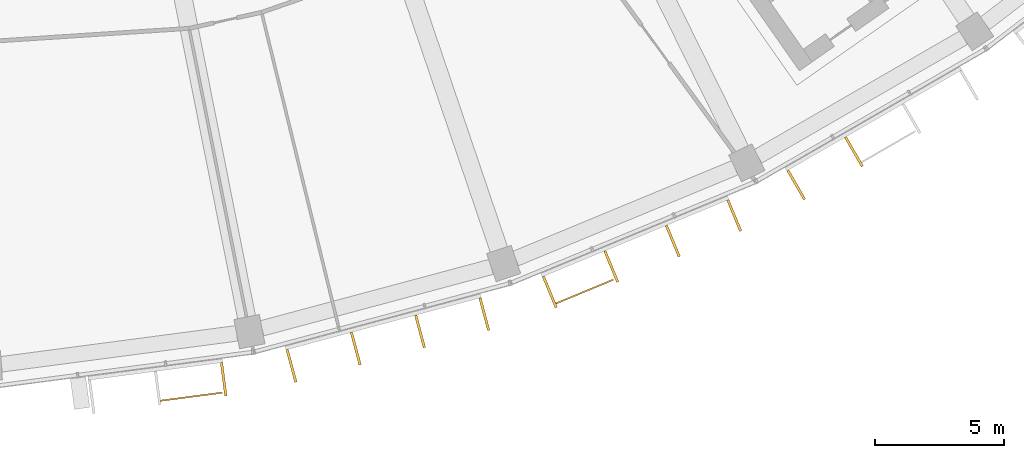
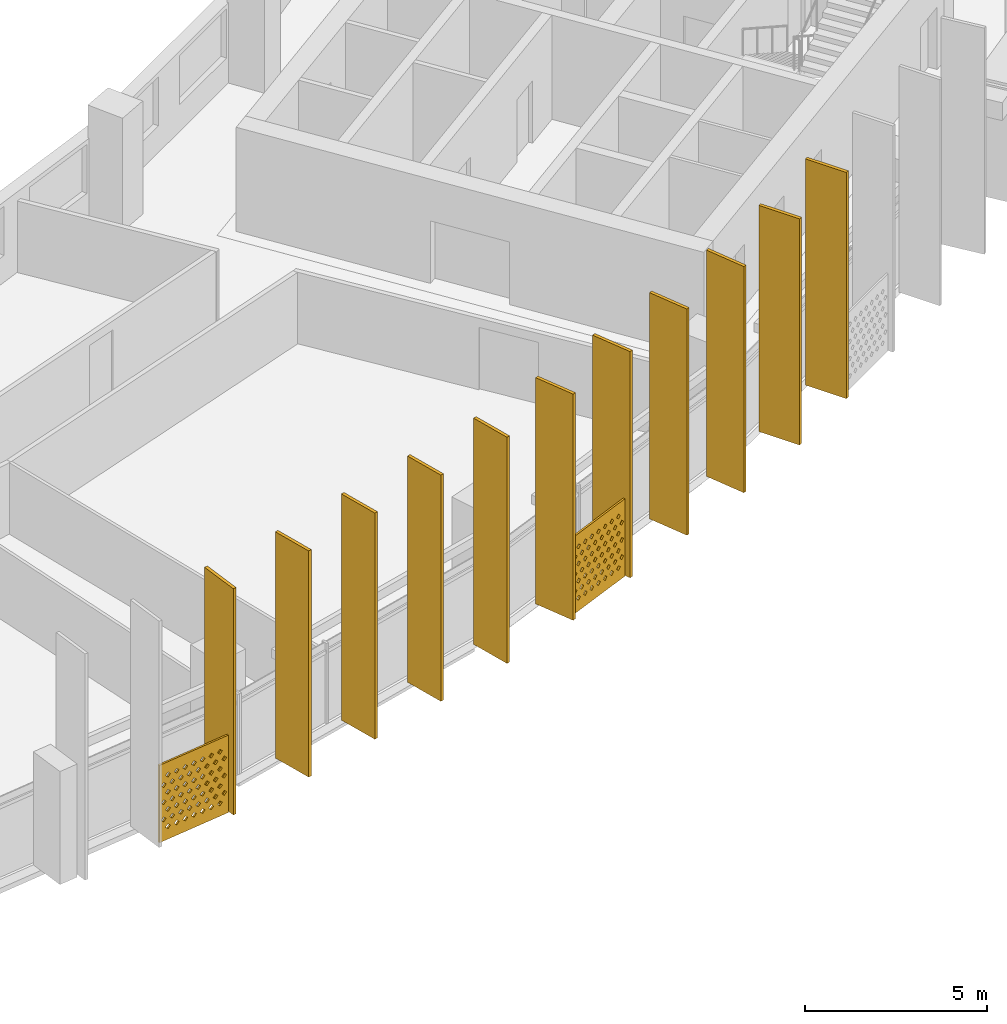
# One storey, part 25 of 27: 13 shading devices.
"""IFC4 building model written with IfcOpenShell, lengths in metres."""

from ifc_helpers import new_model, si_unit, direction, frame, origin, origin_2d, place, context, subcontext, project, spatial, polyline, rectangle, outline, extrude, material, material_profile, profile_set, type_object, element, save


model = new_model("IFC4")

# Units and contexts
model_context = context("Model", 3, precision=1e-05, world=origin(), true_north=direction((0.0, 1.0)))
body_context = subcontext(model_context, "Body", "Model", "MODEL_VIEW")
ifc_project = project(units=[si_unit("LENGTHUNIT", "METRE"), si_unit("AREAUNIT", "SQUARE_METRE"), si_unit("VOLUMEUNIT", "CUBIC_METRE"), si_unit("PLANEANGLEUNIT", "RADIAN"), si_unit("MASSUNIT", "GRAM", prefix="KILO")], contexts=[model_context])

# Site, building, storey
site_placement = place(None, origin())
site = spatial("IfcSite", under=ifc_project, at=site_placement, CompositionType="ELEMENT")
building_placement = place(site_placement, origin())
building = spatial("IfcBuilding", under=site, at=building_placement, Name="Qamariyya Broadcast Tower", CompositionType="ELEMENT")
storey_placement = place(building_placement, frame((0.0, 0.0, 211.300048828125)))
storey = spatial("IfcBuildingStorey", under=building, at=storey_placement, Name="L50", CompositionType="ELEMENT", Elevation=211.300048828125)

# Shading devices
ifc_material_1 = material(Name="Perforated glazed terracotta", Category="masonry")
ifc_material_profile_1 = material_profile(ifc_material_1, outline(polyline([(-1.199951171875, -1.300048828125), (1.199951171875, -1.300048828125), (1.199951171875, 1.300048828125), (-1.199951171875, 1.300048828125), (-1.199951171875, -1.300048828125)]), holes=[polyline([(-0.81494140625, -0.86669921875), (-0.89990234375, -0.78173828125), (-0.985107421875, -0.86669921875), (-0.89990234375, -0.95166015625), (-0.81494140625, -0.86669921875)]), polyline([(-0.514892578125, -0.86669921875), (-0.60009765625, -0.78173828125), (-0.68505859375, -0.86669921875), (-0.60009765625, -0.95166015625), (-0.514892578125, -0.86669921875)]), polyline([(-0.215087890625, -0.86669921875), (-0.300048828125, -0.78173828125), (-0.385009765625, -0.86669921875), (-0.300048828125, -0.95166015625), (-0.215087890625, -0.86669921875)]), polyline([(0.0849609375, -0.86669921875), (0.0, -0.78173828125), (-0.0849609375, -0.86669921875), (0.0, -0.95166015625), (0.0849609375, -0.86669921875)]), polyline([(0.385009765625, -0.86669921875), (0.300048828125, -0.78173828125), (0.215087890625, -0.86669921875), (0.300048828125, -0.95166015625), (0.385009765625, -0.86669921875)]), polyline([(0.68505859375, -0.86669921875), (0.60009765625, -0.78173828125), (0.514892578125, -0.86669921875), (0.60009765625, -0.95166015625), (0.68505859375, -0.86669921875)]), polyline([(0.985107421875, -0.86669921875), (0.89990234375, -0.78173828125), (0.81494140625, -0.86669921875), (0.89990234375, -0.95166015625), (0.985107421875, -0.86669921875)]), polyline([(-0.965087890625, -0.577880859375), (-1.050048828125, -0.49267578125), (-1.135009765625, -0.577880859375), (-1.050048828125, -0.662841796875), (-0.965087890625, -0.577880859375)]), polyline([(-0.6650390625, -0.577880859375), (-0.75, -0.49267578125), (-0.8349609375, -0.577880859375), (-0.75, -0.662841796875), (-0.6650390625, -0.577880859375)]), polyline([(-0.364990234375, -0.577880859375), (-0.449951171875, -0.49267578125), (-0.534912109375, -0.577880859375), (-0.449951171875, -0.662841796875), (-0.364990234375, -0.577880859375)]), polyline([(-0.06494140625, -0.577880859375), (-0.14990234375, -0.49267578125), (-0.235107421875, -0.577880859375), (-0.14990234375, -0.662841796875), (-0.06494140625, -0.577880859375)]), polyline([(0.235107421875, -0.577880859375), (0.14990234375, -0.49267578125), (0.06494140625, -0.577880859375), (0.14990234375, -0.662841796875), (0.235107421875, -0.577880859375)]), polyline([(0.534912109375, -0.577880859375), (0.449951171875, -0.49267578125), (0.364990234375, -0.577880859375), (0.449951171875, -0.662841796875), (0.534912109375, -0.577880859375)]), polyline([(0.8349609375, -0.577880859375), (0.75, -0.49267578125), (0.6650390625, -0.577880859375), (0.75, -0.662841796875), (0.8349609375, -0.577880859375)]), polyline([(1.135009765625, -0.577880859375), (1.050048828125, -0.49267578125), (0.965087890625, -0.577880859375), (1.050048828125, -0.662841796875), (1.135009765625, -0.577880859375)]), polyline([(-0.81494140625, -0.288818359375), (-0.89990234375, -0.203857421875), (-0.985107421875, -0.288818359375), (-0.89990234375, -0.373779296875), (-0.81494140625, -0.288818359375)]), polyline([(-0.514892578125, -0.288818359375), (-0.60009765625, -0.203857421875), (-0.68505859375, -0.288818359375), (-0.60009765625, -0.373779296875), (-0.514892578125, -0.288818359375)]), polyline([(-0.215087890625, -0.288818359375), (-0.300048828125, -0.203857421875), (-0.385009765625, -0.288818359375), (-0.300048828125, -0.373779296875), (-0.215087890625, -0.288818359375)]), polyline([(0.0849609375, -0.288818359375), (0.0, -0.203857421875), (-0.0849609375, -0.288818359375), (0.0, -0.373779296875), (0.0849609375, -0.288818359375)]), polyline([(0.385009765625, -0.288818359375), (0.300048828125, -0.203857421875), (0.215087890625, -0.288818359375), (0.300048828125, -0.373779296875), (0.385009765625, -0.288818359375)]), polyline([(0.68505859375, -0.288818359375), (0.60009765625, -0.203857421875), (0.514892578125, -0.288818359375), (0.60009765625, -0.373779296875), (0.68505859375, -0.288818359375)]), polyline([(0.985107421875, -0.288818359375), (0.89990234375, -0.203857421875), (0.81494140625, -0.288818359375), (0.89990234375, -0.373779296875), (0.985107421875, -0.288818359375)]), polyline([(-0.965087890625, 0.0), (-1.050048828125, 0.0849609375), (-1.135009765625, 0.0), (-1.050048828125, -0.0849609375), (-0.965087890625, 0.0)]), polyline([(-0.6650390625, 0.0), (-0.75, 0.0849609375), (-0.8349609375, 0.0), (-0.75, -0.0849609375), (-0.6650390625, 0.0)]), polyline([(-0.364990234375, 0.0), (-0.449951171875, 0.0849609375), (-0.534912109375, 0.0), (-0.449951171875, -0.0849609375), (-0.364990234375, 0.0)]), polyline([(-0.06494140625, 0.0), (-0.14990234375, 0.0849609375), (-0.235107421875, 0.0), (-0.14990234375, -0.0849609375), (-0.06494140625, 0.0)]), polyline([(0.235107421875, 0.0), (0.14990234375, 0.0849609375), (0.06494140625, 0.0), (0.14990234375, -0.0849609375), (0.235107421875, 0.0)]), polyline([(0.534912109375, 0.0), (0.449951171875, 0.0849609375), (0.364990234375, 0.0), (0.449951171875, -0.0849609375), (0.534912109375, 0.0)]), polyline([(0.8349609375, 0.0), (0.75, 0.0849609375), (0.6650390625, 0.0), (0.75, -0.0849609375), (0.8349609375, 0.0)]), polyline([(1.135009765625, 0.0), (1.050048828125, 0.0849609375), (0.965087890625, 0.0), (1.050048828125, -0.0849609375), (1.135009765625, 0.0)]), polyline([(-0.81494140625, 0.288818359375), (-0.89990234375, 0.373779296875), (-0.985107421875, 0.288818359375), (-0.89990234375, 0.203857421875), (-0.81494140625, 0.288818359375)]), polyline([(-0.514892578125, 0.288818359375), (-0.60009765625, 0.373779296875), (-0.68505859375, 0.288818359375), (-0.60009765625, 0.203857421875), (-0.514892578125, 0.288818359375)]), polyline([(-0.215087890625, 0.288818359375), (-0.300048828125, 0.373779296875), (-0.385009765625, 0.288818359375), (-0.300048828125, 0.203857421875), (-0.215087890625, 0.288818359375)]), polyline([(0.0849609375, 0.288818359375), (0.0, 0.373779296875), (-0.0849609375, 0.288818359375), (0.0, 0.203857421875), (0.0849609375, 0.288818359375)]), polyline([(0.385009765625, 0.288818359375), (0.300048828125, 0.373779296875), (0.215087890625, 0.288818359375), (0.300048828125, 0.203857421875), (0.385009765625, 0.288818359375)]), polyline([(0.68505859375, 0.288818359375), (0.60009765625, 0.373779296875), (0.514892578125, 0.288818359375), (0.60009765625, 0.203857421875), (0.68505859375, 0.288818359375)]), polyline([(0.985107421875, 0.288818359375), (0.89990234375, 0.373779296875), (0.81494140625, 0.288818359375), (0.89990234375, 0.203857421875), (0.985107421875, 0.288818359375)]), polyline([(-0.965087890625, 0.577880859375), (-1.050048828125, 0.662841796875), (-1.135009765625, 0.577880859375), (-1.050048828125, 0.49267578125), (-0.965087890625, 0.577880859375)]), polyline([(-0.6650390625, 0.577880859375), (-0.75, 0.662841796875), (-0.8349609375, 0.577880859375), (-0.75, 0.49267578125), (-0.6650390625, 0.577880859375)]), polyline([(-0.364990234375, 0.577880859375), (-0.449951171875, 0.662841796875), (-0.534912109375, 0.577880859375), (-0.449951171875, 0.49267578125), (-0.364990234375, 0.577880859375)]), polyline([(-0.06494140625, 0.577880859375), (-0.14990234375, 0.662841796875), (-0.235107421875, 0.577880859375), (-0.14990234375, 0.49267578125), (-0.06494140625, 0.577880859375)]), polyline([(0.235107421875, 0.577880859375), (0.14990234375, 0.662841796875), (0.06494140625, 0.577880859375), (0.14990234375, 0.49267578125), (0.235107421875, 0.577880859375)]), polyline([(0.534912109375, 0.577880859375), (0.449951171875, 0.662841796875), (0.364990234375, 0.577880859375), (0.449951171875, 0.49267578125), (0.534912109375, 0.577880859375)]), polyline([(0.8349609375, 0.577880859375), (0.75, 0.662841796875), (0.6650390625, 0.577880859375), (0.75, 0.49267578125), (0.8349609375, 0.577880859375)]), polyline([(1.135009765625, 0.577880859375), (1.050048828125, 0.662841796875), (0.965087890625, 0.577880859375), (1.050048828125, 0.49267578125), (1.135009765625, 0.577880859375)]), polyline([(-0.81494140625, 0.86669921875), (-0.89990234375, 0.95166015625), (-0.985107421875, 0.86669921875), (-0.89990234375, 0.78173828125), (-0.81494140625, 0.86669921875)]), polyline([(-0.514892578125, 0.86669921875), (-0.60009765625, 0.95166015625), (-0.68505859375, 0.86669921875), (-0.60009765625, 0.78173828125), (-0.514892578125, 0.86669921875)]), polyline([(-0.215087890625, 0.86669921875), (-0.300048828125, 0.95166015625), (-0.385009765625, 0.86669921875), (-0.300048828125, 0.78173828125), (-0.215087890625, 0.86669921875)]), polyline([(0.0849609375, 0.86669921875), (0.0, 0.95166015625), (-0.0849609375, 0.86669921875), (0.0, 0.78173828125), (0.0849609375, 0.86669921875)]), polyline([(0.385009765625, 0.86669921875), (0.300048828125, 0.95166015625), (0.215087890625, 0.86669921875), (0.300048828125, 0.78173828125), (0.385009765625, 0.86669921875)]), polyline([(0.68505859375, 0.86669921875), (0.60009765625, 0.95166015625), (0.514892578125, 0.86669921875), (0.60009765625, 0.78173828125), (0.68505859375, 0.86669921875)]), polyline([(0.985107421875, 0.86669921875), (0.89990234375, 0.95166015625), (0.81494140625, 0.86669921875), (0.89990234375, 0.78173828125), (0.985107421875, 0.86669921875)])]))
ifc_profile_set_1 = profile_set([ifc_material_profile_1], Name="Perforated glazed terracotta")
shading_device_type_1 = type_object("IfcShadingDeviceType", Name="Perforated terracotta screen 2400 x 2600", PredefinedType="USERDEFINED", material=ifc_profile_set_1)
shading_device_1_placement = place(storey_placement, frame((12.924072265625, -78.73828125, 1.349853515625), z_axis=(0.1300340368, -0.991509530601, 0.0), x_axis=(0.991509530601, 0.1300340368, 0.0)))
element("IfcShadingDevice", 1, at=shading_device_1_placement, inside=storey, type_object=shading_device_type_1, Name="e-scr-L50-09-2", ObjectType="SCREEN", PredefinedType="USERDEFINED", context=body_context, shape_type="SweptSolid", body=[
    extrude(outline(polyline([(-1.199951171875, -1.300048828125), (1.199951171875, -1.300048828125), (1.199951171875, 1.300048828125), (-1.199951171875, 1.300048828125), (-1.199951171875, -1.300048828125)]), holes=[polyline([(-0.81494140625, -0.86669921875), (-0.89990234375, -0.78173828125), (-0.985107421875, -0.86669921875), (-0.89990234375, -0.95166015625), (-0.81494140625, -0.86669921875)]), polyline([(-0.514892578125, -0.86669921875), (-0.60009765625, -0.78173828125), (-0.68505859375, -0.86669921875), (-0.60009765625, -0.95166015625), (-0.514892578125, -0.86669921875)]), polyline([(-0.215087890625, -0.86669921875), (-0.300048828125, -0.78173828125), (-0.385009765625, -0.86669921875), (-0.300048828125, -0.95166015625), (-0.215087890625, -0.86669921875)]), polyline([(0.0849609375, -0.86669921875), (0.0, -0.78173828125), (-0.0849609375, -0.86669921875), (0.0, -0.95166015625), (0.0849609375, -0.86669921875)]), polyline([(0.385009765625, -0.86669921875), (0.300048828125, -0.78173828125), (0.215087890625, -0.86669921875), (0.300048828125, -0.95166015625), (0.385009765625, -0.86669921875)]), polyline([(0.68505859375, -0.86669921875), (0.60009765625, -0.78173828125), (0.514892578125, -0.86669921875), (0.60009765625, -0.95166015625), (0.68505859375, -0.86669921875)]), polyline([(0.985107421875, -0.86669921875), (0.89990234375, -0.78173828125), (0.81494140625, -0.86669921875), (0.89990234375, -0.95166015625), (0.985107421875, -0.86669921875)]), polyline([(-0.965087890625, -0.577880859375), (-1.050048828125, -0.49267578125), (-1.135009765625, -0.577880859375), (-1.050048828125, -0.662841796875), (-0.965087890625, -0.577880859375)]), polyline([(-0.6650390625, -0.577880859375), (-0.75, -0.49267578125), (-0.8349609375, -0.577880859375), (-0.75, -0.662841796875), (-0.6650390625, -0.577880859375)]), polyline([(-0.364990234375, -0.577880859375), (-0.449951171875, -0.49267578125), (-0.534912109375, -0.577880859375), (-0.449951171875, -0.662841796875), (-0.364990234375, -0.577880859375)]), polyline([(-0.06494140625, -0.577880859375), (-0.14990234375, -0.49267578125), (-0.235107421875, -0.577880859375), (-0.14990234375, -0.662841796875), (-0.06494140625, -0.577880859375)]), polyline([(0.235107421875, -0.577880859375), (0.14990234375, -0.49267578125), (0.06494140625, -0.577880859375), (0.14990234375, -0.662841796875), (0.235107421875, -0.577880859375)]), polyline([(0.534912109375, -0.577880859375), (0.449951171875, -0.49267578125), (0.364990234375, -0.577880859375), (0.449951171875, -0.662841796875), (0.534912109375, -0.577880859375)]), polyline([(0.8349609375, -0.577880859375), (0.75, -0.49267578125), (0.6650390625, -0.577880859375), (0.75, -0.662841796875), (0.8349609375, -0.577880859375)]), polyline([(1.135009765625, -0.577880859375), (1.050048828125, -0.49267578125), (0.965087890625, -0.577880859375), (1.050048828125, -0.662841796875), (1.135009765625, -0.577880859375)]), polyline([(-0.81494140625, -0.288818359375), (-0.89990234375, -0.203857421875), (-0.985107421875, -0.288818359375), (-0.89990234375, -0.373779296875), (-0.81494140625, -0.288818359375)]), polyline([(-0.514892578125, -0.288818359375), (-0.60009765625, -0.203857421875), (-0.68505859375, -0.288818359375), (-0.60009765625, -0.373779296875), (-0.514892578125, -0.288818359375)]), polyline([(-0.215087890625, -0.288818359375), (-0.300048828125, -0.203857421875), (-0.385009765625, -0.288818359375), (-0.300048828125, -0.373779296875), (-0.215087890625, -0.288818359375)]), polyline([(0.0849609375, -0.288818359375), (0.0, -0.203857421875), (-0.0849609375, -0.288818359375), (0.0, -0.373779296875), (0.0849609375, -0.288818359375)]), polyline([(0.385009765625, -0.288818359375), (0.300048828125, -0.203857421875), (0.215087890625, -0.288818359375), (0.300048828125, -0.373779296875), (0.385009765625, -0.288818359375)]), polyline([(0.68505859375, -0.288818359375), (0.60009765625, -0.203857421875), (0.514892578125, -0.288818359375), (0.60009765625, -0.373779296875), (0.68505859375, -0.288818359375)]), polyline([(0.985107421875, -0.288818359375), (0.89990234375, -0.203857421875), (0.81494140625, -0.288818359375), (0.89990234375, -0.373779296875), (0.985107421875, -0.288818359375)]), polyline([(-0.965087890625, 0.0), (-1.050048828125, 0.0849609375), (-1.135009765625, 0.0), (-1.050048828125, -0.0849609375), (-0.965087890625, 0.0)]), polyline([(-0.6650390625, 0.0), (-0.75, 0.0849609375), (-0.8349609375, 0.0), (-0.75, -0.0849609375), (-0.6650390625, 0.0)]), polyline([(-0.364990234375, 0.0), (-0.449951171875, 0.0849609375), (-0.534912109375, 0.0), (-0.449951171875, -0.0849609375), (-0.364990234375, 0.0)]), polyline([(-0.06494140625, 0.0), (-0.14990234375, 0.0849609375), (-0.235107421875, 0.0), (-0.14990234375, -0.0849609375), (-0.06494140625, 0.0)]), polyline([(0.235107421875, 0.0), (0.14990234375, 0.0849609375), (0.06494140625, 0.0), (0.14990234375, -0.0849609375), (0.235107421875, 0.0)]), polyline([(0.534912109375, 0.0), (0.449951171875, 0.0849609375), (0.364990234375, 0.0), (0.449951171875, -0.0849609375), (0.534912109375, 0.0)]), polyline([(0.8349609375, 0.0), (0.75, 0.0849609375), (0.6650390625, 0.0), (0.75, -0.0849609375), (0.8349609375, 0.0)]), polyline([(1.135009765625, 0.0), (1.050048828125, 0.0849609375), (0.965087890625, 0.0), (1.050048828125, -0.0849609375), (1.135009765625, 0.0)]), polyline([(-0.81494140625, 0.288818359375), (-0.89990234375, 0.373779296875), (-0.985107421875, 0.288818359375), (-0.89990234375, 0.203857421875), (-0.81494140625, 0.288818359375)]), polyline([(-0.514892578125, 0.288818359375), (-0.60009765625, 0.373779296875), (-0.68505859375, 0.288818359375), (-0.60009765625, 0.203857421875), (-0.514892578125, 0.288818359375)]), polyline([(-0.215087890625, 0.288818359375), (-0.300048828125, 0.373779296875), (-0.385009765625, 0.288818359375), (-0.300048828125, 0.203857421875), (-0.215087890625, 0.288818359375)]), polyline([(0.0849609375, 0.288818359375), (0.0, 0.373779296875), (-0.0849609375, 0.288818359375), (0.0, 0.203857421875), (0.0849609375, 0.288818359375)]), polyline([(0.385009765625, 0.288818359375), (0.300048828125, 0.373779296875), (0.215087890625, 0.288818359375), (0.300048828125, 0.203857421875), (0.385009765625, 0.288818359375)]), polyline([(0.68505859375, 0.288818359375), (0.60009765625, 0.373779296875), (0.514892578125, 0.288818359375), (0.60009765625, 0.203857421875), (0.68505859375, 0.288818359375)]), polyline([(0.985107421875, 0.288818359375), (0.89990234375, 0.373779296875), (0.81494140625, 0.288818359375), (0.89990234375, 0.203857421875), (0.985107421875, 0.288818359375)]), polyline([(-0.965087890625, 0.577880859375), (-1.050048828125, 0.662841796875), (-1.135009765625, 0.577880859375), (-1.050048828125, 0.49267578125), (-0.965087890625, 0.577880859375)]), polyline([(-0.6650390625, 0.577880859375), (-0.75, 0.662841796875), (-0.8349609375, 0.577880859375), (-0.75, 0.49267578125), (-0.6650390625, 0.577880859375)]), polyline([(-0.364990234375, 0.577880859375), (-0.449951171875, 0.662841796875), (-0.534912109375, 0.577880859375), (-0.449951171875, 0.49267578125), (-0.364990234375, 0.577880859375)]), polyline([(-0.06494140625, 0.577880859375), (-0.14990234375, 0.662841796875), (-0.235107421875, 0.577880859375), (-0.14990234375, 0.49267578125), (-0.06494140625, 0.577880859375)]), polyline([(0.235107421875, 0.577880859375), (0.14990234375, 0.662841796875), (0.06494140625, 0.577880859375), (0.14990234375, 0.49267578125), (0.235107421875, 0.577880859375)]), polyline([(0.534912109375, 0.577880859375), (0.449951171875, 0.662841796875), (0.364990234375, 0.577880859375), (0.449951171875, 0.49267578125), (0.534912109375, 0.577880859375)]), polyline([(0.8349609375, 0.577880859375), (0.75, 0.662841796875), (0.6650390625, 0.577880859375), (0.75, 0.49267578125), (0.8349609375, 0.577880859375)]), polyline([(1.135009765625, 0.577880859375), (1.050048828125, 0.662841796875), (0.965087890625, 0.577880859375), (1.050048828125, 0.49267578125), (1.135009765625, 0.577880859375)]), polyline([(-0.81494140625, 0.86669921875), (-0.89990234375, 0.95166015625), (-0.985107421875, 0.86669921875), (-0.89990234375, 0.78173828125), (-0.81494140625, 0.86669921875)]), polyline([(-0.514892578125, 0.86669921875), (-0.60009765625, 0.95166015625), (-0.68505859375, 0.86669921875), (-0.60009765625, 0.78173828125), (-0.514892578125, 0.86669921875)]), polyline([(-0.215087890625, 0.86669921875), (-0.300048828125, 0.95166015625), (-0.385009765625, 0.86669921875), (-0.300048828125, 0.78173828125), (-0.215087890625, 0.86669921875)]), polyline([(0.0849609375, 0.86669921875), (0.0, 0.95166015625), (-0.0849609375, 0.86669921875), (0.0, 0.78173828125), (0.0849609375, 0.86669921875)]), polyline([(0.385009765625, 0.86669921875), (0.300048828125, 0.95166015625), (0.215087890625, 0.86669921875), (0.300048828125, 0.78173828125), (0.385009765625, 0.86669921875)]), polyline([(0.68505859375, 0.86669921875), (0.60009765625, 0.95166015625), (0.514892578125, 0.86669921875), (0.60009765625, 0.78173828125), (0.68505859375, 0.86669921875)]), polyline([(0.985107421875, 0.86669921875), (0.89990234375, 0.95166015625), (0.81494140625, 0.86669921875), (0.89990234375, 0.78173828125), (0.985107421875, 0.86669921875)])]), origin(), (0.0, 0.0, 1.0), 0.06005859375),
])
shading_device_2_placement = place(storey_placement, frame((28.110107421875, -74.678955078125, 1.349853515625), z_axis=(0.382591441855, -0.923917630863, 0.0), x_axis=(0.923917630863, 0.382591441855, 0.0)))
element("IfcShadingDevice", 2, at=shading_device_2_placement, inside=storey, type_object=shading_device_type_1, Name="e-scr-L50-11-0", ObjectType="SCREEN", PredefinedType="USERDEFINED", context=body_context, shape_type="SweptSolid", body=[
    extrude(outline(polyline([(-1.199951171875, -1.300048828125), (1.199951171875, -1.300048828125), (1.199951171875, 1.300048828125), (-1.199951171875, 1.300048828125), (-1.199951171875, -1.300048828125)]), holes=[polyline([(-0.81494140625, -0.86669921875), (-0.89990234375, -0.78173828125), (-0.985107421875, -0.86669921875), (-0.89990234375, -0.95166015625), (-0.81494140625, -0.86669921875)]), polyline([(-0.514892578125, -0.86669921875), (-0.60009765625, -0.78173828125), (-0.68505859375, -0.86669921875), (-0.60009765625, -0.95166015625), (-0.514892578125, -0.86669921875)]), polyline([(-0.215087890625, -0.86669921875), (-0.300048828125, -0.78173828125), (-0.385009765625, -0.86669921875), (-0.300048828125, -0.95166015625), (-0.215087890625, -0.86669921875)]), polyline([(0.0849609375, -0.86669921875), (0.0, -0.78173828125), (-0.0849609375, -0.86669921875), (0.0, -0.95166015625), (0.0849609375, -0.86669921875)]), polyline([(0.385009765625, -0.86669921875), (0.300048828125, -0.78173828125), (0.215087890625, -0.86669921875), (0.300048828125, -0.95166015625), (0.385009765625, -0.86669921875)]), polyline([(0.68505859375, -0.86669921875), (0.60009765625, -0.78173828125), (0.514892578125, -0.86669921875), (0.60009765625, -0.95166015625), (0.68505859375, -0.86669921875)]), polyline([(0.985107421875, -0.86669921875), (0.89990234375, -0.78173828125), (0.81494140625, -0.86669921875), (0.89990234375, -0.95166015625), (0.985107421875, -0.86669921875)]), polyline([(-0.965087890625, -0.577880859375), (-1.050048828125, -0.49267578125), (-1.135009765625, -0.577880859375), (-1.050048828125, -0.662841796875), (-0.965087890625, -0.577880859375)]), polyline([(-0.6650390625, -0.577880859375), (-0.75, -0.49267578125), (-0.8349609375, -0.577880859375), (-0.75, -0.662841796875), (-0.6650390625, -0.577880859375)]), polyline([(-0.364990234375, -0.577880859375), (-0.449951171875, -0.49267578125), (-0.534912109375, -0.577880859375), (-0.449951171875, -0.662841796875), (-0.364990234375, -0.577880859375)]), polyline([(-0.06494140625, -0.577880859375), (-0.14990234375, -0.49267578125), (-0.235107421875, -0.577880859375), (-0.14990234375, -0.662841796875), (-0.06494140625, -0.577880859375)]), polyline([(0.235107421875, -0.577880859375), (0.14990234375, -0.49267578125), (0.06494140625, -0.577880859375), (0.14990234375, -0.662841796875), (0.235107421875, -0.577880859375)]), polyline([(0.534912109375, -0.577880859375), (0.449951171875, -0.49267578125), (0.364990234375, -0.577880859375), (0.449951171875, -0.662841796875), (0.534912109375, -0.577880859375)]), polyline([(0.8349609375, -0.577880859375), (0.75, -0.49267578125), (0.6650390625, -0.577880859375), (0.75, -0.662841796875), (0.8349609375, -0.577880859375)]), polyline([(1.135009765625, -0.577880859375), (1.050048828125, -0.49267578125), (0.965087890625, -0.577880859375), (1.050048828125, -0.662841796875), (1.135009765625, -0.577880859375)]), polyline([(-0.81494140625, -0.288818359375), (-0.89990234375, -0.203857421875), (-0.985107421875, -0.288818359375), (-0.89990234375, -0.373779296875), (-0.81494140625, -0.288818359375)]), polyline([(-0.514892578125, -0.288818359375), (-0.60009765625, -0.203857421875), (-0.68505859375, -0.288818359375), (-0.60009765625, -0.373779296875), (-0.514892578125, -0.288818359375)]), polyline([(-0.215087890625, -0.288818359375), (-0.300048828125, -0.203857421875), (-0.385009765625, -0.288818359375), (-0.300048828125, -0.373779296875), (-0.215087890625, -0.288818359375)]), polyline([(0.0849609375, -0.288818359375), (0.0, -0.203857421875), (-0.0849609375, -0.288818359375), (0.0, -0.373779296875), (0.0849609375, -0.288818359375)]), polyline([(0.385009765625, -0.288818359375), (0.300048828125, -0.203857421875), (0.215087890625, -0.288818359375), (0.300048828125, -0.373779296875), (0.385009765625, -0.288818359375)]), polyline([(0.68505859375, -0.288818359375), (0.60009765625, -0.203857421875), (0.514892578125, -0.288818359375), (0.60009765625, -0.373779296875), (0.68505859375, -0.288818359375)]), polyline([(0.985107421875, -0.288818359375), (0.89990234375, -0.203857421875), (0.81494140625, -0.288818359375), (0.89990234375, -0.373779296875), (0.985107421875, -0.288818359375)]), polyline([(-0.965087890625, 0.0), (-1.050048828125, 0.0849609375), (-1.135009765625, 0.0), (-1.050048828125, -0.0849609375), (-0.965087890625, 0.0)]), polyline([(-0.6650390625, 0.0), (-0.75, 0.0849609375), (-0.8349609375, 0.0), (-0.75, -0.0849609375), (-0.6650390625, 0.0)]), polyline([(-0.364990234375, 0.0), (-0.449951171875, 0.0849609375), (-0.534912109375, 0.0), (-0.449951171875, -0.0849609375), (-0.364990234375, 0.0)]), polyline([(-0.06494140625, 0.0), (-0.14990234375, 0.0849609375), (-0.235107421875, 0.0), (-0.14990234375, -0.0849609375), (-0.06494140625, 0.0)]), polyline([(0.235107421875, 0.0), (0.14990234375, 0.0849609375), (0.06494140625, 0.0), (0.14990234375, -0.0849609375), (0.235107421875, 0.0)]), polyline([(0.534912109375, 0.0), (0.449951171875, 0.0849609375), (0.364990234375, 0.0), (0.449951171875, -0.0849609375), (0.534912109375, 0.0)]), polyline([(0.8349609375, 0.0), (0.75, 0.0849609375), (0.6650390625, 0.0), (0.75, -0.0849609375), (0.8349609375, 0.0)]), polyline([(1.135009765625, 0.0), (1.050048828125, 0.0849609375), (0.965087890625, 0.0), (1.050048828125, -0.0849609375), (1.135009765625, 0.0)]), polyline([(-0.81494140625, 0.288818359375), (-0.89990234375, 0.373779296875), (-0.985107421875, 0.288818359375), (-0.89990234375, 0.203857421875), (-0.81494140625, 0.288818359375)]), polyline([(-0.514892578125, 0.288818359375), (-0.60009765625, 0.373779296875), (-0.68505859375, 0.288818359375), (-0.60009765625, 0.203857421875), (-0.514892578125, 0.288818359375)]), polyline([(-0.215087890625, 0.288818359375), (-0.300048828125, 0.373779296875), (-0.385009765625, 0.288818359375), (-0.300048828125, 0.203857421875), (-0.215087890625, 0.288818359375)]), polyline([(0.0849609375, 0.288818359375), (0.0, 0.373779296875), (-0.0849609375, 0.288818359375), (0.0, 0.203857421875), (0.0849609375, 0.288818359375)]), polyline([(0.385009765625, 0.288818359375), (0.300048828125, 0.373779296875), (0.215087890625, 0.288818359375), (0.300048828125, 0.203857421875), (0.385009765625, 0.288818359375)]), polyline([(0.68505859375, 0.288818359375), (0.60009765625, 0.373779296875), (0.514892578125, 0.288818359375), (0.60009765625, 0.203857421875), (0.68505859375, 0.288818359375)]), polyline([(0.985107421875, 0.288818359375), (0.89990234375, 0.373779296875), (0.81494140625, 0.288818359375), (0.89990234375, 0.203857421875), (0.985107421875, 0.288818359375)]), polyline([(-0.965087890625, 0.577880859375), (-1.050048828125, 0.662841796875), (-1.135009765625, 0.577880859375), (-1.050048828125, 0.49267578125), (-0.965087890625, 0.577880859375)]), polyline([(-0.6650390625, 0.577880859375), (-0.75, 0.662841796875), (-0.8349609375, 0.577880859375), (-0.75, 0.49267578125), (-0.6650390625, 0.577880859375)]), polyline([(-0.364990234375, 0.577880859375), (-0.449951171875, 0.662841796875), (-0.534912109375, 0.577880859375), (-0.449951171875, 0.49267578125), (-0.364990234375, 0.577880859375)]), polyline([(-0.06494140625, 0.577880859375), (-0.14990234375, 0.662841796875), (-0.235107421875, 0.577880859375), (-0.14990234375, 0.49267578125), (-0.06494140625, 0.577880859375)]), polyline([(0.235107421875, 0.577880859375), (0.14990234375, 0.662841796875), (0.06494140625, 0.577880859375), (0.14990234375, 0.49267578125), (0.235107421875, 0.577880859375)]), polyline([(0.534912109375, 0.577880859375), (0.449951171875, 0.662841796875), (0.364990234375, 0.577880859375), (0.449951171875, 0.49267578125), (0.534912109375, 0.577880859375)]), polyline([(0.8349609375, 0.577880859375), (0.75, 0.662841796875), (0.6650390625, 0.577880859375), (0.75, 0.49267578125), (0.8349609375, 0.577880859375)]), polyline([(1.135009765625, 0.577880859375), (1.050048828125, 0.662841796875), (0.965087890625, 0.577880859375), (1.050048828125, 0.49267578125), (1.135009765625, 0.577880859375)]), polyline([(-0.81494140625, 0.86669921875), (-0.89990234375, 0.95166015625), (-0.985107421875, 0.86669921875), (-0.89990234375, 0.78173828125), (-0.81494140625, 0.86669921875)]), polyline([(-0.514892578125, 0.86669921875), (-0.60009765625, 0.95166015625), (-0.68505859375, 0.86669921875), (-0.60009765625, 0.78173828125), (-0.514892578125, 0.86669921875)]), polyline([(-0.215087890625, 0.86669921875), (-0.300048828125, 0.95166015625), (-0.385009765625, 0.86669921875), (-0.300048828125, 0.78173828125), (-0.215087890625, 0.86669921875)]), polyline([(0.0849609375, 0.86669921875), (0.0, 0.95166015625), (-0.0849609375, 0.86669921875), (0.0, 0.78173828125), (0.0849609375, 0.86669921875)]), polyline([(0.385009765625, 0.86669921875), (0.300048828125, 0.95166015625), (0.215087890625, 0.86669921875), (0.300048828125, 0.78173828125), (0.385009765625, 0.86669921875)]), polyline([(0.68505859375, 0.86669921875), (0.60009765625, 0.95166015625), (0.514892578125, 0.86669921875), (0.60009765625, 0.78173828125), (0.68505859375, 0.86669921875)]), polyline([(0.985107421875, 0.86669921875), (0.89990234375, 0.95166015625), (0.81494140625, 0.86669921875), (0.89990234375, 0.78173828125), (0.985107421875, 0.86669921875)])]), origin(), (0.0, 0.0, 1.0), 0.06005859375),
])
ifc_material_2 = material(Name="Glazed terracotta", Category="masonry")
ifc_material_profile_2 = material_profile(ifc_material_2, rectangle(XDim=1.300048828125, YDim=0.10009765625, at=origin_2d()))
ifc_profile_set_2 = profile_set([ifc_material_profile_2], Name="Glazed terracotta")
shading_device_type_2 = type_object("IfcShadingDeviceType", Name="Terracotta fin 100 x 1300", PredefinedType="USERDEFINED", material=ifc_profile_set_2)
for number, where, z_axis, x_axis, name in (
    (3, (14.17333984375, -78.099853515625, 0.0), (0.0, 0.0, 1.0), (0.13052619222, -0.991444861374, 0.0), "e-fin-L50-09-3"),
    (4, (16.79296875, -77.57861328125, 0.0), (0.0, 0.0, 1.0), (0.258819045103, -0.965925826289, 0.0), "e-fin-L50-10-0"),
    (5, (19.27734375, -76.9130859375, 0.0), (0.0, 0.0, 1.0), (0.258819045103, -0.965925826289, 0.0), "e-fin-L50-10-1"),
    (6, (21.76171875, -76.247314453125, 0.0), (0.0, 0.0, 1.0), (0.258819045103, -0.965925826289, 0.0), "e-fin-L50-10-2"),
    (7, (24.24609375, -75.58154296875, 0.0), (0.0, 0.0, 1.0), (0.258819045103, -0.965925826289, 0.0), "e-fin-L50-10-3"),
    (8, (26.775390625, -74.72314453125, 0.0), (0.0, 0.0, 1.0), (0.382683432365, -0.923879532511, 0.0), "e-fin-L50-11-0"),
    (9, (29.151611328125, -73.73876953125, 0.0), (0.0, 0.0, 1.0), (0.382683432365, -0.923879532511, 0.0), "e-fin-L50-11-1"),
    (10, (31.52783203125, -72.754638671875, 0.0), (0.0, 0.0, 1.0), (0.382683432365, -0.923879532511, 0.0), "e-fin-L50-11-2"),
    (11, (33.904052734375, -71.770263671875, 0.0), (0.0, 0.0, 1.0), (0.382683432365, -0.923879532511, 0.0), "e-fin-L50-11-3"),
    (12, (36.2998046875, -70.5888671875, 0.0), (0.0, 0.0, 1.0), (0.5, -0.866025403784, 0.0), "e-fin-L50-12-0"),
    (13, (38.527099609375, -69.302978515625, 0.0), (0.0, 0.0, 1.0), (0.5, -0.866025403784, 0.0), "e-fin-L50-12-1"),
):
    element("IfcShadingDevice", number, at=place(storey_placement, frame(where, z_axis=z_axis, x_axis=x_axis)), inside=storey, type_object=shading_device_type_2, Name=name, ObjectType="FIN", PredefinedType="USERDEFINED", context=body_context, shape_type="SweptSolid", body=[
        extrude(rectangle(XDim=1.300048828125, YDim=0.10009765625, at=origin_2d()), origin(), (0.0, 0.0, 1.0), 7.599853515625),
    ])

save(model, "model.ifc")
